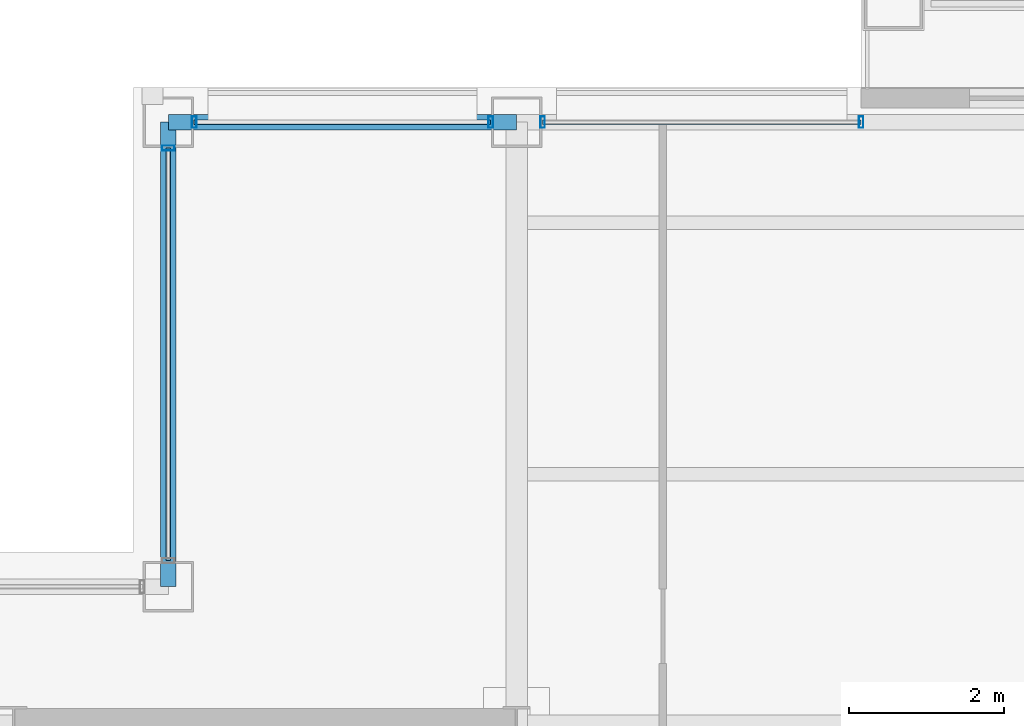
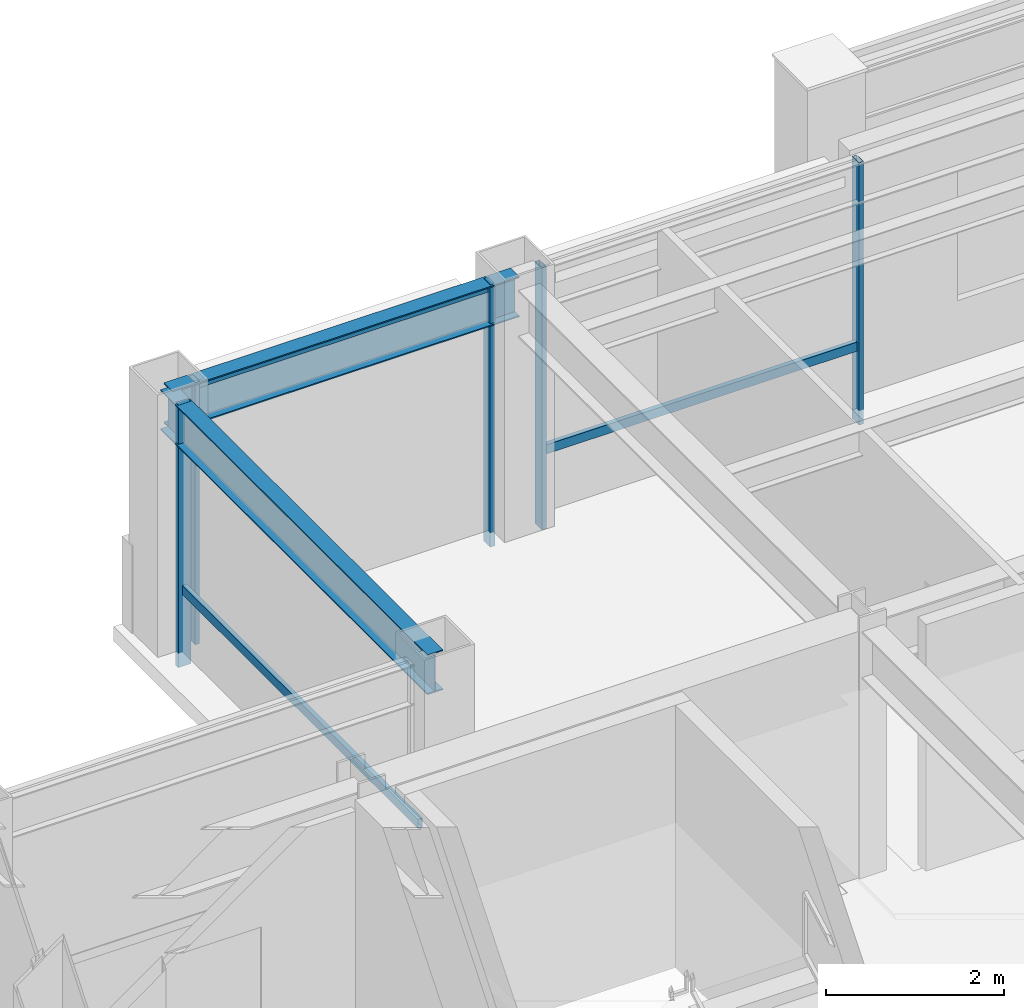
# One storey, part 14 of 23: 8 members, 2 beams, 3 elements without a shape of their own.
"""IFC4 building model written with IfcOpenShell, lengths in metres."""

from ifc_helpers import new_model, si_unit, direction, frame, origin, origin_2d, place, context, subcontext, project, spatial, hollow_rectangle, i_section, extrude, material, layer, layer_set, material_profile, profile_set, type_object, element, aggregate, save


model = new_model("IFC4")

# Units and contexts
model_context = context("Model", 3, precision=1e-05, world=origin(), true_north=direction((0.0, 1.0)))
body_context = subcontext(model_context, "Body", "Model", "MODEL_VIEW")
ifc_project = project(units=[si_unit("LENGTHUNIT", "METRE"), si_unit("AREAUNIT", "SQUARE_METRE"), si_unit("VOLUMEUNIT", "CUBIC_METRE"), si_unit("PLANEANGLEUNIT", "RADIAN"), si_unit("MASSUNIT", "GRAM", prefix="KILO")], contexts=[model_context])

# Site, building, storey
site_placement = place(None, origin())
site = spatial("IfcSite", under=ifc_project, at=site_placement, CompositionType="ELEMENT")
building_placement = place(site_placement, origin())
building = spatial("IfcBuilding", under=site, at=building_placement, Name="Brelmoor Portico Tower", CompositionType="ELEMENT")
storey_placement = place(building_placement, frame((0.0, 0.0, 222.0)))
storey = spatial("IfcBuildingStorey", under=building, at=storey_placement, Name="L58", CompositionType="ELEMENT", Elevation=222.0)

# Beams
ifc_material_1 = material(Name="Steel Q355B", Category="steel")
ifc_material_profile_1 = material_profile(ifc_material_1, i_section(OverallWidth=0.199951171875, OverallDepth=0.550048828125, WebThickness=0.010009765625, FlangeThickness=0.01611328125, at=origin_2d()), Name="HN 550x200x10x16")
ifc_profile_set_1 = profile_set([ifc_material_profile_1], Name="Steel Q355B")
beam_type = type_object("IfcBeamType", Name="BM-SP-550", PredefinedType="SPANDREL", material=ifc_profile_set_1)
beam_1_placement = place(storey_placement, frame((-12.550048828125, 17.550048828125, 3.125), z_axis=(1.0, 0.0, 0.0), x_axis=(0.0, 1.0, 0.0)))
element("IfcBeam", 1, at=beam_1_placement, inside=storey, type_object=beam_type, Name="L58 Perimeter Spandrel Beam SP-08", PredefinedType="SPANDREL", context=body_context, shape_type="SweptSolid", body=[
    extrude(i_section(OverallWidth=0.199951171875, OverallDepth=0.550048828125, WebThickness=0.010009765625, FlangeThickness=0.01611328125, at=origin_2d()), origin(), (0.0, 0.0, 1.0), 4.5),
])
beam_2_placement = place(storey_placement, frame((-12.550048828125, 11.550048828125, 3.125), z_axis=(0.0, 1.0, 0.0), x_axis=(-1.0, 0.0, 0.0)))
element("IfcBeam", 2, at=beam_2_placement, inside=storey, type_object=beam_type, Name="L58 Perimeter Spandrel Beam SP-15", PredefinedType="SPANDREL", context=body_context, shape_type="SweptSolid", body=[
    extrude(i_section(OverallWidth=0.199951171875, OverallDepth=0.550048828125, WebThickness=0.010009765625, FlangeThickness=0.01611328125, at=origin_2d()), origin(), (0.0, 0.0, 1.0), 6.0),
])

# Curtain wall, members
ifc_material_2 = material(Name="Anodised Aluminium Alloy 6063-T6", Category="aluminium")
ifc_layer_1 = layer(ifc_material_2, 0.179931640625)
ifc_layer_set_1 = layer_set([ifc_layer_1], Name="Anodised Aluminium Alloy 6063-T6")
curtain_wall_type_1 = type_object("IfcCurtainWallType", Name="CW-TOWER-Z4-XB", PredefinedType="NOTDEFINED", material=ifc_layer_set_1)
curtain_wall_1_placement = place(storey_placement, origin())
curtain_wall_1 = element("IfcCurtainWall", 3, at=curtain_wall_1_placement, inside=storey, type_object=curtain_wall_type_1, Name="L58 Curtain Wall CW-L58-2L-1", PredefinedType="NOTDEFINED")
ifc_material_profile_2 = material_profile(ifc_material_2, hollow_rectangle(XDim=0.06005859375, YDim=0.14990234375, WallThickness=0.00390625, at=origin_2d()), Name="ALU MULLION 60x150")
ifc_profile_set_2 = profile_set([ifc_material_profile_2], Name="Anodised Aluminium Alloy 6063-T6")
member_type_1 = type_object("IfcMemberType", Name="MB-CW-MULL-150", PredefinedType="MULLION", material=ifc_profile_set_2)
member_1_placement = place(storey_placement, frame((-12.215087890625, 17.550048828125, -0.199951171875), z_axis=(0.0, 0.0, 1.0), x_axis=(1.0, 0.0, 0.0)))
member_1 = element("IfcMember", 4, at=member_1_placement, type_object=member_type_1, Name="CW-L58-2L-1 Mullion 00", PredefinedType="MULLION", context=body_context, shape_type="SweptSolid", body=[
    extrude(hollow_rectangle(XDim=0.06005859375, YDim=0.14990234375, WallThickness=0.00390625, at=origin_2d()), origin(), (0.0, 0.0, 1.0), 3.599853515625),
])
member_2_placement = place(storey_placement, frame((-8.385009765625, 17.550048828125, -0.199951171875), z_axis=(0.0, 0.0, 1.0), x_axis=(1.0, 0.0, 0.0)))
member_2 = element("IfcMember", 5, at=member_2_placement, type_object=member_type_1, Name="CW-L58-2L-1 Mullion 01", PredefinedType="MULLION", context=body_context, shape_type="SweptSolid", body=[
    extrude(hollow_rectangle(XDim=0.06005859375, YDim=0.14990234375, WallThickness=0.00390625, at=origin_2d()), origin(), (0.0, 0.0, 1.0), 3.599853515625),
])

ifc_layer_2 = layer(ifc_material_2, 0.179931640625)
ifc_layer_set_2 = layer_set([ifc_layer_2], Name="Anodised Aluminium Alloy 6063-T6")
curtain_wall_type_2 = type_object("IfcCurtainWallType", Name="CW-TOWER-Z4", PredefinedType="NOTDEFINED", material=ifc_layer_set_2)
curtain_wall_2_placement = place(storey_placement, origin())
curtain_wall_2 = element("IfcCurtainWall", 6, at=curtain_wall_2_placement, inside=storey, type_object=curtain_wall_type_2, Name="L58 Curtain Wall CW-L58-2L-2", PredefinedType="NOTDEFINED")
member_3_placement = place(storey_placement, frame((-7.715087890625, 17.550048828125, -0.199951171875), z_axis=(0.0, 0.0, 1.0), x_axis=(1.0, 0.0, 0.0)))
member_3 = element("IfcMember", 7, at=member_3_placement, type_object=member_type_1, Name="CW-L58-2L-2 Mullion 00", PredefinedType="MULLION", context=body_context, shape_type="SweptSolid", body=[
    extrude(hollow_rectangle(XDim=0.06005859375, YDim=0.14990234375, WallThickness=0.00390625, at=origin_2d()), origin(), (0.0, 0.0, 1.0), 3.599853515625),
])
member_4_placement = place(storey_placement, frame((-3.60009765625, 17.550048828125, -0.199951171875), z_axis=(0.0, 0.0, 1.0), x_axis=(1.0, 0.0, 0.0)))
member_4 = element("IfcMember", 8, at=member_4_placement, type_object=member_type_1, Name="CW-L58-2L-2 Mullion 01", PredefinedType="MULLION", context=body_context, shape_type="SweptSolid", body=[
    extrude(hollow_rectangle(XDim=0.06005859375, YDim=0.14990234375, WallThickness=0.00390625, at=origin_2d()), origin(), (0.0, 0.0, 1.0), 3.599853515625),
])

# Curtain wall, member
ifc_layer_3 = layer(ifc_material_2, 0.179931640625)
ifc_layer_set_3 = layer_set([ifc_layer_3], Name="Anodised Aluminium Alloy 6063-T6")
curtain_wall_type_3 = type_object("IfcCurtainWallType", Name="CW-NOTCH-CHAMFER", PredefinedType="NOTDEFINED", material=ifc_layer_set_3)
curtain_wall_3_placement = place(storey_placement, origin())
curtain_wall_3 = element("IfcCurtainWall", 9, at=curtain_wall_3_placement, inside=storey, type_object=curtain_wall_type_3, Name="L58 Curtain Wall CWN-L58-NWV", PredefinedType="NOTDEFINED")
ifc_material_profile_3 = material_profile(ifc_material_2, hollow_rectangle(XDim=0.06494140625, YDim=0.1650390625, WallThickness=0.00390625, at=origin_2d()), Name="ALU MULLION 65x165")
ifc_profile_set_3 = profile_set([ifc_material_profile_3], Name="Anodised Aluminium Alloy 6063-T6")
member_type_2 = type_object("IfcMemberType", Name="MB-CW-MULL-165", PredefinedType="MULLION", material=ifc_profile_set_3)
member_5_placement = place(storey_placement, frame((-12.550048828125, 17.215087890625, -0.199951171875), z_axis=(0.0, 0.0, 1.0), x_axis=(0.0, 1.0, 0.0)))
member_5 = element("IfcMember", 10, at=member_5_placement, type_object=member_type_2, Name="CWN-L58-NWV Mullion 01", PredefinedType="MULLION", context=body_context, shape_type="SweptSolid", body=[
    extrude(hollow_rectangle(XDim=0.06494140625, YDim=0.1650390625, WallThickness=0.00390625, at=origin_2d()), origin(), (0.0, 0.0, 1.0), 3.599853515625),
])

# Member
ifc_material_profile_4 = material_profile(ifc_material_2, hollow_rectangle(XDim=0.06005859375, YDim=0.125, WallThickness=0.00341796875, at=origin_2d()), Name="ALU TRANSOM 60x125")
ifc_profile_set_4 = profile_set([ifc_material_profile_4], Name="Anodised Aluminium Alloy 6063-T6")
member_type_3 = type_object("IfcMemberType", Name="MB-CW-TRAN-125", PredefinedType="USERDEFINED", material=ifc_profile_set_4)
member_6_placement = place(storey_placement, frame((-12.215087890625, 17.550048828125, 3.33740234375), z_axis=(1.0, 0.0, 0.0), x_axis=(0.0, 1.0, 0.0)))
member_6 = element("IfcMember", 11, at=member_6_placement, type_object=member_type_3, Name="CW-L58-2L-1 Transom 1-00", ObjectType="TRANSOM", PredefinedType="USERDEFINED", context=body_context, shape_type="SweptSolid", body=[
    extrude(hollow_rectangle(XDim=0.06005859375, YDim=0.125, WallThickness=0.00341796875, at=origin_2d()), origin(), (0.0, 0.0, 1.0), 3.830078125),
])

aggregate(curtain_wall_1, [member_1, member_2, member_6])

member_7_placement = place(storey_placement, frame((-7.715087890625, 17.550048828125, 0.85009765625), z_axis=(1.0, 0.0, 0.0), x_axis=(0.0, 1.0, 0.0)))
member_7 = element("IfcMember", 12, at=member_7_placement, type_object=member_type_3, Name="CW-L58-2L-2 Transom 1-00", ObjectType="TRANSOM", PredefinedType="USERDEFINED", context=body_context, shape_type="SweptSolid", body=[
    extrude(hollow_rectangle(XDim=0.06005859375, YDim=0.125, WallThickness=0.00341796875, at=origin_2d()), origin(), (0.0, 0.0, 1.0), 4.114990234375),
])

aggregate(curtain_wall_2, [member_3, member_4, member_7])

member_8_placement = place(storey_placement, frame((-12.550048828125, 11.885009765625, 0.85009765625), z_axis=(0.0, 1.0, 0.0), x_axis=(-1.0, 0.0, 0.0)))
member_8 = element("IfcMember", 13, at=member_8_placement, type_object=member_type_3, Name="CWN-L58-NWV Transom 1-00", ObjectType="TRANSOM", PredefinedType="USERDEFINED", context=body_context, shape_type="SweptSolid", body=[
    extrude(hollow_rectangle(XDim=0.06005859375, YDim=0.125, WallThickness=0.00341796875, at=origin_2d()), origin(), (0.0, 0.0, 1.0), 5.330078125),
])

aggregate(curtain_wall_3, [member_5, member_8])

save(model, "model.ifc")
